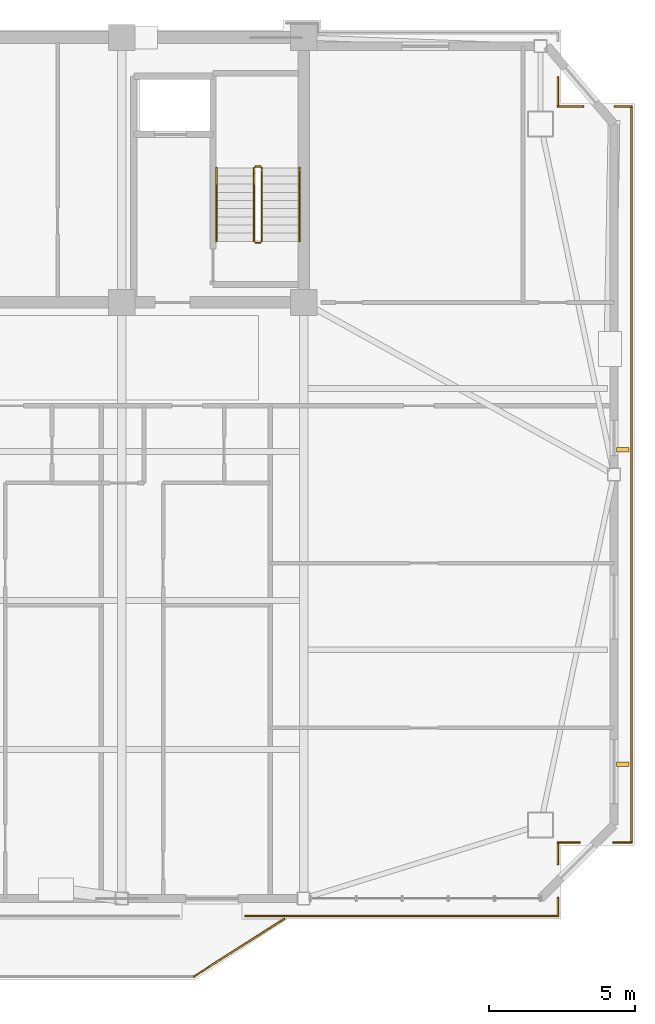
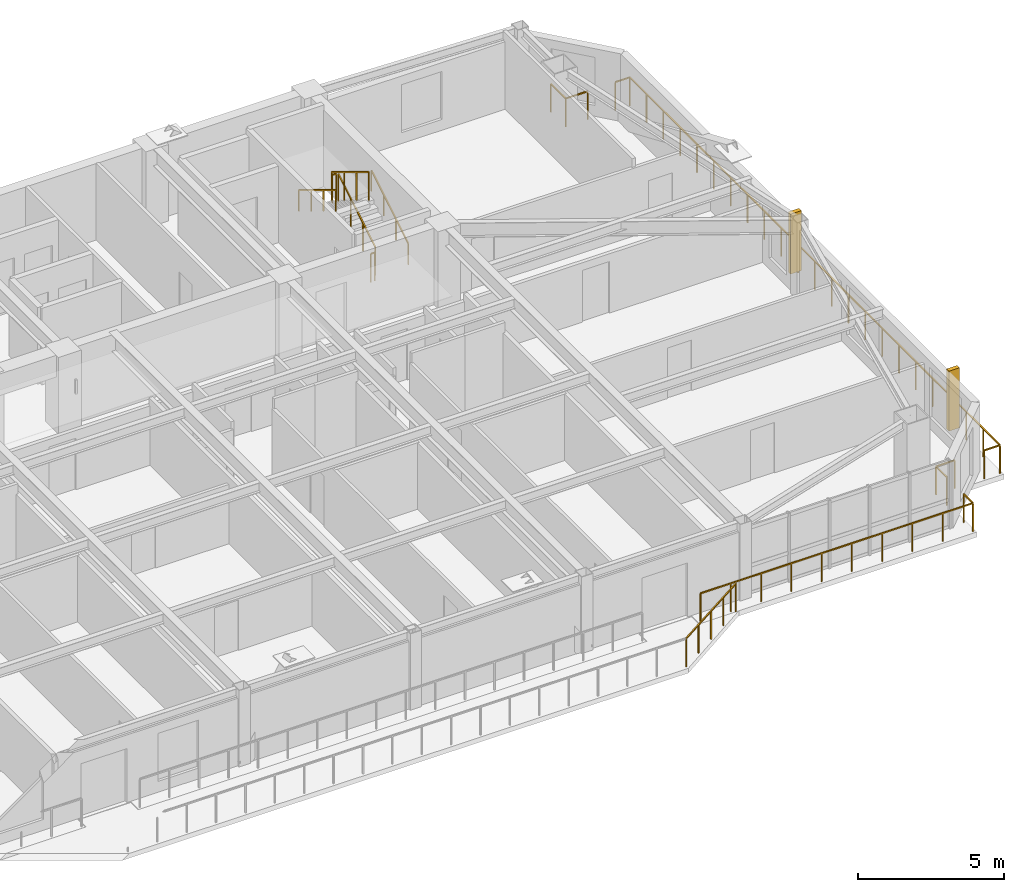
# One storey, part 15 of 17: 16 railings, 2 shading devices.
"""IFC4 building model written with IfcOpenShell, lengths in metres."""

from ifc_helpers import new_model, si_unit, direction, frame, origin, origin_2d, place, context, subcontext, project, spatial, rectangle, extrude, source, transform, mapped, material, type_object, element, save


model = new_model("IFC4")

# Units and contexts
model_context = context("Model", 3, precision=1e-05, world=origin(), true_north=direction((0.0, 1.0)))
body_context = subcontext(model_context, "Body", "Model", "MODEL_VIEW")
ifc_project = project(units=[si_unit("LENGTHUNIT", "METRE"), si_unit("AREAUNIT", "SQUARE_METRE"), si_unit("VOLUMEUNIT", "CUBIC_METRE"), si_unit("PLANEANGLEUNIT", "RADIAN"), si_unit("MASSUNIT", "GRAM", prefix="KILO")], contexts=[model_context])

# Site, building, storey
site_placement = place(None, origin())
site = spatial("IfcSite", under=ifc_project, at=site_placement, CompositionType="ELEMENT")
building_placement = place(site_placement, origin())
building = spatial("IfcBuilding", under=site, at=building_placement, Name="Giltprow Tower", CompositionType="ELEMENT")
storey_placement = place(building_placement, frame((0.0, 0.0, 268.89990234375)))
storey = spatial("IfcBuildingStorey", under=building, at=storey_placement, Name="L69", CompositionType="ELEMENT", Elevation=268.89990234375)

# Railings
ifc_material = material(Name="Anodized bronze", Category="metal")
railing_type_1 = type_object("IfcRailingType", Name="RAIL-BALC-GUARD-1200", PredefinedType="BALUSTRADE", material=ifc_material)
railing_1_placement = place(storey_placement, frame((46.780029296875, 14.2958984375, 0.0)))
element("IfcRailing", 1, at=railing_1_placement, inside=storey, type_object=railing_type_1, Name="L69 Waterfront Balcony Balustrade Seg 3", PredefinedType="BALUSTRADE", context=body_context, shape_type="SweptSolid", body=[
    extrude(rectangle(XDim=0.048095703125, YDim=0.048095703125, at=origin_2d()), frame((0.0, 0.0, 1.17578125), z_axis=(0.842755646126, 0.538296313309, 0.0), x_axis=(-0.538296313309, 0.842755646126, 0.0)), (0.0, 0.0, 1.0), 3.67822265625),
    extrude(rectangle(XDim=0.0419921875, YDim=0.0419921875, at=origin_2d()), origin(), (0.0, 0.0, 1.0), 1.15185546875),
    extrude(rectangle(XDim=0.0419921875, YDim=0.0419921875, at=origin_2d()), frame((0.77490234375, 0.4951171875, 0.0)), (0.0, 0.0, 1.0), 1.15185546875),
    extrude(rectangle(XDim=0.0419921875, YDim=0.0419921875, at=origin_2d()), frame((1.5498046875, 0.989990234375, 0.0)), (0.0, 0.0, 1.0), 1.15185546875),
    extrude(rectangle(XDim=0.0419921875, YDim=0.0419921875, at=origin_2d()), frame((2.324951171875, 1.48486328125, 0.0)), (0.0, 0.0, 1.0), 1.15185546875),
    extrude(rectangle(XDim=0.0419921875, YDim=0.0419921875, at=origin_2d()), frame((3.099853515625, 1.97998046875, 0.0)), (0.0, 0.0, 1.0), 1.15185546875),
])
railing_2_placement = place(storey_placement, frame((61.806884765625, 44.176025390625, 0.0)))
element("IfcRailing", 2, at=railing_2_placement, inside=storey, type_object=railing_type_1, Name="L69 Corner Apron Edge Balustrade 1", PredefinedType="BALUSTRADE", context=body_context, shape_type="SweptSolid", body=[
    extrude(rectangle(XDim=0.048095703125, YDim=0.048095703125, at=origin_2d()), frame((0.0, 0.0, 1.17578125), z_axis=(0.0, -1.0, 0.0), x_axis=(1.0, 0.0, 0.0)), (0.0, 0.0, 1.0), 25.277099609375),
    extrude(rectangle(XDim=0.0419921875, YDim=0.0419921875, at=origin_2d()), origin(), (0.0, 0.0, 1.0), 1.15185546875),
    extrude(rectangle(XDim=0.0419921875, YDim=0.0419921875, at=origin_2d()), frame((0.0, -1.14892578125, 0.0)), (0.0, 0.0, 1.0), 1.15185546875),
    extrude(rectangle(XDim=0.0419921875, YDim=0.0419921875, at=origin_2d()), frame((0.0, -2.2978515625, 0.0)), (0.0, 0.0, 1.0), 1.15185546875),
    extrude(rectangle(XDim=0.0419921875, YDim=0.0419921875, at=origin_2d()), frame((0.0, -3.44677734375, 0.0)), (0.0, 0.0, 1.0), 1.15185546875),
    extrude(rectangle(XDim=0.0419921875, YDim=0.0419921875, at=origin_2d()), frame((0.0, -4.595947265625, 0.0)), (0.0, 0.0, 1.0), 1.15185546875),
    extrude(rectangle(XDim=0.0419921875, YDim=0.0419921875, at=origin_2d()), frame((0.0, -5.744873046875, 0.0)), (0.0, 0.0, 1.0), 1.15185546875),
    extrude(rectangle(XDim=0.0419921875, YDim=0.0419921875, at=origin_2d()), frame((0.0, -6.893798828125, 0.0)), (0.0, 0.0, 1.0), 1.15185546875),
    extrude(rectangle(XDim=0.0419921875, YDim=0.0419921875, at=origin_2d()), frame((0.0, -8.042724609375, 0.0)), (0.0, 0.0, 1.0), 1.15185546875),
    extrude(rectangle(XDim=0.0419921875, YDim=0.0419921875, at=origin_2d()), frame((0.0, -9.191650390625, 0.0)), (0.0, 0.0, 1.0), 1.15185546875),
    extrude(rectangle(XDim=0.0419921875, YDim=0.0419921875, at=origin_2d()), frame((0.0, -10.340576171875, 0.0)), (0.0, 0.0, 1.0), 1.15185546875),
    extrude(rectangle(XDim=0.0419921875, YDim=0.0419921875, at=origin_2d()), frame((0.0, -11.489501953125, 0.0)), (0.0, 0.0, 1.0), 1.15185546875),
    extrude(rectangle(XDim=0.0419921875, YDim=0.0419921875, at=origin_2d()), frame((0.0, -12.638671875, 0.0)), (0.0, 0.0, 1.0), 1.15185546875),
    extrude(rectangle(XDim=0.0419921875, YDim=0.0419921875, at=origin_2d()), frame((0.0, -13.78759765625, 0.0)), (0.0, 0.0, 1.0), 1.15185546875),
    extrude(rectangle(XDim=0.0419921875, YDim=0.0419921875, at=origin_2d()), frame((0.0, -14.9365234375, 0.0)), (0.0, 0.0, 1.0), 1.15185546875),
    extrude(rectangle(XDim=0.0419921875, YDim=0.0419921875, at=origin_2d()), frame((0.0, -16.08544921875, 0.0)), (0.0, 0.0, 1.0), 1.15185546875),
    extrude(rectangle(XDim=0.0419921875, YDim=0.0419921875, at=origin_2d()), frame((0.0, -17.234375, 0.0)), (0.0, 0.0, 1.0), 1.15185546875),
    extrude(rectangle(XDim=0.0419921875, YDim=0.0419921875, at=origin_2d()), frame((0.0, -18.38330078125, 0.0)), (0.0, 0.0, 1.0), 1.15185546875),
    extrude(rectangle(XDim=0.0419921875, YDim=0.0419921875, at=origin_2d()), frame((0.0, -19.5322265625, 0.0)), (0.0, 0.0, 1.0), 1.15185546875),
    extrude(rectangle(XDim=0.0419921875, YDim=0.0419921875, at=origin_2d()), frame((0.0, -20.68115234375, 0.0)), (0.0, 0.0, 1.0), 1.15185546875),
    extrude(rectangle(XDim=0.0419921875, YDim=0.0419921875, at=origin_2d()), frame((0.0, -21.830322265625, 0.0)), (0.0, 0.0, 1.0), 1.15185546875),
    extrude(rectangle(XDim=0.0419921875, YDim=0.0419921875, at=origin_2d()), frame((0.0, -22.979248046875, 0.0)), (0.0, 0.0, 1.0), 1.15185546875),
    extrude(rectangle(XDim=0.0419921875, YDim=0.0419921875, at=origin_2d()), frame((0.0, -24.128173828125, 0.0)), (0.0, 0.0, 1.0), 1.15185546875),
    extrude(rectangle(XDim=0.0419921875, YDim=0.0419921875, at=origin_2d()), frame((0.0, -25.277099609375, 0.0)), (0.0, 0.0, 1.0), 1.15185546875),
])
railing_3_placement = place(storey_placement, frame((61.806884765625, 18.89892578125, 0.0)))
element("IfcRailing", 3, at=railing_3_placement, inside=storey, type_object=railing_type_1, Name="L69 Corner Apron Edge Balustrade 2", PredefinedType="BALUSTRADE", context=body_context, shape_type="SweptSolid", body=[
    extrude(rectangle(XDim=0.048095703125, YDim=0.048095703125, at=origin_2d()), frame((0.0, 0.0, 1.17578125), z_axis=(-1.0, 0.0, 0.0), x_axis=(0.0, -1.0, 0.0)), (0.0, 0.0, 1.0), 0.619873046875),
    extrude(rectangle(XDim=0.0419921875, YDim=0.0419921875, at=origin_2d()), origin(), (0.0, 0.0, 1.0), 1.15185546875),
    extrude(rectangle(XDim=0.0419921875, YDim=0.0419921875, at=origin_2d()), frame((-0.619873046875, 0.0, 0.0)), (0.0, 0.0, 1.0), 1.15185546875),
])
railing_4_placement = place(storey_placement, frame((60.027099609375, 18.89892578125, 0.0)))
element("IfcRailing", 4, at=railing_4_placement, inside=storey, type_object=railing_type_1, Name="L69 Corner Apron Edge Balustrade 3", PredefinedType="BALUSTRADE", context=body_context, shape_type="SweptSolid", body=[
    extrude(rectangle(XDim=0.048095703125, YDim=0.048095703125, at=origin_2d()), frame((0.0, 0.0, 1.17578125), z_axis=(-1.0, 0.0, 0.0), x_axis=(0.0, -1.0, 0.0)), (0.0, 0.0, 1.0), 0.744140625),
    extrude(rectangle(XDim=0.0419921875, YDim=0.0419921875, at=origin_2d()), origin(), (0.0, 0.0, 1.0), 1.15185546875),
    extrude(rectangle(XDim=0.0419921875, YDim=0.0419921875, at=origin_2d()), frame((-0.744140625, 0.0, 0.0)), (0.0, 0.0, 1.0), 1.15185546875),
])
railing_5_placement = place(storey_placement, frame((59.282958984375, 18.89892578125, 0.0)))
element("IfcRailing", 5, at=railing_5_placement, inside=storey, type_object=railing_type_1, Name="L69 Corner Apron Edge Balustrade 4", PredefinedType="BALUSTRADE", context=body_context, shape_type="SweptSolid", body=[
    extrude(rectangle(XDim=0.048095703125, YDim=0.048095703125, at=origin_2d()), frame((0.0, 0.0, 1.17578125), z_axis=(0.0, -1.0, 0.0), x_axis=(1.0, 0.0, 0.0)), (0.0, 0.0, 1.0), 0.743896484375),
    extrude(rectangle(XDim=0.0419921875, YDim=0.0419921875, at=origin_2d()), origin(), (0.0, 0.0, 1.0), 1.15185546875),
    extrude(rectangle(XDim=0.0419921875, YDim=0.0419921875, at=origin_2d()), frame((0.0, -0.743896484375, 0.0)), (0.0, 0.0, 1.0), 1.15185546875),
])
railing_6_placement = place(storey_placement, frame((59.282958984375, 16.9951171875, 0.0)))
element("IfcRailing", 6, at=railing_6_placement, inside=storey, type_object=railing_type_1, Name="L69 Corner Apron Edge Balustrade 5", PredefinedType="BALUSTRADE", context=body_context, shape_type="SweptSolid", body=[
    extrude(rectangle(XDim=0.048095703125, YDim=0.048095703125, at=origin_2d()), frame((0.0, 0.0, 1.17578125), z_axis=(0.0, -1.0, 0.0), x_axis=(1.0, 0.0, 0.0)), (0.0, 0.0, 1.0), 0.619140625),
    extrude(rectangle(XDim=0.0419921875, YDim=0.0419921875, at=origin_2d()), origin(), (0.0, 0.0, 1.0), 1.15185546875),
    extrude(rectangle(XDim=0.0419921875, YDim=0.0419921875, at=origin_2d()), frame((0.0, -0.619140625, 0.0)), (0.0, 0.0, 1.0), 1.15185546875),
])
railing_7_placement = place(storey_placement, frame((59.282958984375, 16.3759765625, 0.0)))
element("IfcRailing", 7, at=railing_7_placement, inside=storey, type_object=railing_type_1, Name="L69 Corner Apron Edge Balustrade 6", PredefinedType="BALUSTRADE", context=body_context, shape_type="SweptSolid", body=[
    extrude(rectangle(XDim=0.048095703125, YDim=0.048095703125, at=origin_2d()), frame((0.0, 0.0, 1.17578125), z_axis=(-1.0, 0.0, 0.0), x_axis=(0.0, -1.0, 0.0)), (0.0, 0.0, 1.0), 10.73291015625),
    extrude(rectangle(XDim=0.0419921875, YDim=0.0419921875, at=origin_2d()), origin(), (0.0, 0.0, 1.0), 1.15185546875),
    extrude(rectangle(XDim=0.0419921875, YDim=0.0419921875, at=origin_2d()), frame((-1.192626953125, 0.0, 0.0)), (0.0, 0.0, 1.0), 1.15185546875),
    extrude(rectangle(XDim=0.0419921875, YDim=0.0419921875, at=origin_2d()), frame((-2.385009765625, 0.0, 0.0)), (0.0, 0.0, 1.0), 1.15185546875),
    extrude(rectangle(XDim=0.0419921875, YDim=0.0419921875, at=origin_2d()), frame((-3.57763671875, 0.0, 0.0)), (0.0, 0.0, 1.0), 1.15185546875),
    extrude(rectangle(XDim=0.0419921875, YDim=0.0419921875, at=origin_2d()), frame((-4.770263671875, 0.0, 0.0)), (0.0, 0.0, 1.0), 1.15185546875),
    extrude(rectangle(XDim=0.0419921875, YDim=0.0419921875, at=origin_2d()), frame((-5.962646484375, 0.0, 0.0)), (0.0, 0.0, 1.0), 1.15185546875),
    extrude(rectangle(XDim=0.0419921875, YDim=0.0419921875, at=origin_2d()), frame((-7.1552734375, 0.0, 0.0)), (0.0, 0.0, 1.0), 1.15185546875),
    extrude(rectangle(XDim=0.0419921875, YDim=0.0419921875, at=origin_2d()), frame((-8.347900390625, 0.0, 0.0)), (0.0, 0.0, 1.0), 1.15185546875),
    extrude(rectangle(XDim=0.0419921875, YDim=0.0419921875, at=origin_2d()), frame((-9.540283203125, 0.0, 0.0)), (0.0, 0.0, 1.0), 1.15185546875),
    extrude(rectangle(XDim=0.0419921875, YDim=0.0419921875, at=origin_2d()), frame((-10.73291015625, 0.0, 0.0)), (0.0, 0.0, 1.0), 1.15185546875),
])
railing_8_placement = place(storey_placement, frame((59.282958984375, 45.18603515625, 0.0)))
element("IfcRailing", 8, at=railing_8_placement, inside=storey, type_object=railing_type_1, Name="L69 Corner Apron Edge Balustrade 27", PredefinedType="BALUSTRADE", context=body_context, shape_type="SweptSolid", body=[
    extrude(rectangle(XDim=0.048095703125, YDim=0.048095703125, at=origin_2d()), frame((0.0, 0.0, 1.17578125), z_axis=(0.0, -1.0, 0.0), x_axis=(1.0, 0.0, 0.0)), (0.0, 0.0, 1.0), 1.010009765625),
    extrude(rectangle(XDim=0.0419921875, YDim=0.0419921875, at=origin_2d()), origin(), (0.0, 0.0, 1.0), 1.15185546875),
    extrude(rectangle(XDim=0.0419921875, YDim=0.0419921875, at=origin_2d()), frame((0.0, -1.010009765625, 0.0)), (0.0, 0.0, 1.0), 1.15185546875),
])
railing_9_placement = place(storey_placement, frame((59.282958984375, 44.176025390625, 0.0)))
element("IfcRailing", 9, at=railing_9_placement, inside=storey, type_object=railing_type_1, Name="L69 Corner Apron Edge Balustrade 28", PredefinedType="BALUSTRADE", context=body_context, shape_type="SweptSolid", body=[
    extrude(rectangle(XDim=0.048095703125, YDim=0.048095703125, at=origin_2d()), frame((0.0, 0.0, 1.17578125), z_axis=(1.0, 0.0, 0.0), x_axis=(0.0, 1.0, 0.0)), (0.0, 0.0, 1.0), 0.867919921875),
    extrude(rectangle(XDim=0.0419921875, YDim=0.0419921875, at=origin_2d()), origin(), (0.0, 0.0, 1.0), 1.15185546875),
    extrude(rectangle(XDim=0.0419921875, YDim=0.0419921875, at=origin_2d()), frame((0.867919921875, 0.0, 0.0)), (0.0, 0.0, 1.0), 1.15185546875),
])
railing_10_placement = place(storey_placement, frame((61.23291015625, 44.176025390625, 0.0)))
element("IfcRailing", 10, at=railing_10_placement, inside=storey, type_object=railing_type_1, Name="L69 Corner Apron Edge Balustrade 29", PredefinedType="BALUSTRADE", context=body_context, shape_type="SweptSolid", body=[
    extrude(rectangle(XDim=0.048095703125, YDim=0.048095703125, at=origin_2d()), frame((0.0, 0.0, 1.17578125), z_axis=(1.0, 0.0, 0.0), x_axis=(0.0, 1.0, 0.0)), (0.0, 0.0, 1.0), 0.573974609375),
    extrude(rectangle(XDim=0.0419921875, YDim=0.0419921875, at=origin_2d()), origin(), (0.0, 0.0, 1.0), 1.15185546875),
    extrude(rectangle(XDim=0.0419921875, YDim=0.0419921875, at=origin_2d()), frame((0.573974609375, 0.0, 0.0)), (0.0, 0.0, 1.0), 1.15185546875),
])
railing_type_2 = type_object("IfcRailingType", Name="RAIL-STAIR-GUARD-1200", PredefinedType="GUARDRAIL", material=ifc_material)
railing_11_placement = place(storey_placement, frame((49.110107421875, 39.550048828125, 0.170166015625)))
element("IfcRailing", 11, at=railing_11_placement, inside=storey, type_object=railing_type_2, Name="L69 ST-3 stair guard 1", PredefinedType="GUARDRAIL", context=body_context, shape_type="SweptSolid", body=[
    extrude(rectangle(XDim=0.048095703125, YDim=0.048095703125, at=origin_2d()), frame((0.0, 0.0, 1.17578125), z_axis=(0.0, 0.85478489116, 0.518982456201), x_axis=(-1.0, 0.0, 0.0)), (0.0, 0.0, 1.0), 2.9482421875),
    extrude(rectangle(XDim=0.0419921875, YDim=0.0419921875, at=origin_2d()), origin(), (0.0, 0.0, 1.0), 1.15185546875),
    extrude(rectangle(XDim=0.0419921875, YDim=0.0419921875, at=origin_2d()), frame((0.0, 0.840087890625, 0.510009765625)), (0.0, 0.0, 1.0), 1.15185546875),
    extrude(rectangle(XDim=0.0419921875, YDim=0.0419921875, at=origin_2d()), frame((0.0, 1.679931640625, 1.02001953125)), (0.0, 0.0, 1.0), 1.15185546875),
    extrude(rectangle(XDim=0.0419921875, YDim=0.0419921875, at=origin_2d()), frame((0.0, 2.52001953125, 1.530029296875)), (0.0, 0.0, 1.0), 1.15185546875),
])
railing_12_placement = place(storey_placement, frame((49.06005859375, 42.1201171875, 1.7001953125)))
element("IfcRailing", 12, at=railing_12_placement, inside=storey, type_object=railing_type_2, Name="L69 ST-3 stair guard 2", PredefinedType="GUARDRAIL", context=body_context, shape_type="SweptSolid", body=[
    extrude(rectangle(XDim=0.048095703125, YDim=0.048095703125, at=origin_2d()), frame((0.0, 0.0, 1.17578125), z_axis=(-1.0, 0.0, 0.0), x_axis=(0.0, -1.0, 0.0)), (0.0, 0.0, 1.0), 0.16015625),
    extrude(rectangle(XDim=0.0419921875, YDim=0.0419921875, at=origin_2d()), origin(), (0.0, 0.0, 1.0), 1.15185546875),
    extrude(rectangle(XDim=0.0419921875, YDim=0.0419921875, at=origin_2d()), frame((-0.16015625, 0.0, 0.0)), (0.0, 0.0, 1.0), 1.15185546875),
])
railing_13_placement = place(storey_placement, frame((48.85009765625, 42.070068359375, 1.8701171875)))
element("IfcRailing", 13, at=railing_13_placement, inside=storey, type_object=railing_type_2, Name="L69 ST-3 stair guard 3", PredefinedType="GUARDRAIL", context=body_context, shape_type="SweptSolid", body=[
    extrude(rectangle(XDim=0.048095703125, YDim=0.048095703125, at=origin_2d()), frame((0.0, 0.0, 1.17578125), z_axis=(0.0, -0.85478489116, 0.518982456201), x_axis=(1.0, 0.0, 0.0)), (0.0, 0.0, 1.0), 2.9482421875),
    extrude(rectangle(XDim=0.0419921875, YDim=0.0419921875, at=origin_2d()), origin(), (0.0, 0.0, 1.0), 1.15185546875),
    extrude(rectangle(XDim=0.0419921875, YDim=0.0419921875, at=origin_2d()), frame((0.0, -0.840087890625, 0.510009765625)), (0.0, 0.0, 1.0), 1.15185546875),
    extrude(rectangle(XDim=0.0419921875, YDim=0.0419921875, at=origin_2d()), frame((0.0, -1.679931640625, 1.02001953125)), (0.0, 0.0, 1.0), 1.15185546875),
    extrude(rectangle(XDim=0.0419921875, YDim=0.0419921875, at=origin_2d()), frame((0.0, -2.52001953125, 1.530029296875)), (0.0, 0.0, 1.0), 1.15185546875),
])
railing_14_placement = place(storey_placement, frame((49.06005859375, 39.5, 0.0)))
element("IfcRailing", 14, at=railing_14_placement, inside=storey, type_object=railing_type_2, Name="L69 ST-3 stair guard 4", PredefinedType="GUARDRAIL", context=body_context, shape_type="SweptSolid", body=[
    extrude(rectangle(XDim=0.048095703125, YDim=0.048095703125, at=origin_2d()), frame((0.0, 0.0, 1.17578125), z_axis=(-1.0, 0.0, 0.0), x_axis=(0.0, -1.0, 0.0)), (0.0, 0.0, 1.0), 0.16015625),
    extrude(rectangle(XDim=0.0419921875, YDim=0.0419921875, at=origin_2d()), origin(), (0.0, 0.0, 1.0), 1.15185546875),
    extrude(rectangle(XDim=0.0419921875, YDim=0.0419921875, at=origin_2d()), frame((-0.16015625, 0.0, 0.0)), (0.0, 0.0, 1.0), 1.15185546875),
])
railing_type_3 = type_object("IfcRailingType", Name="RAIL-STAIR-HAND-900", PredefinedType="HANDRAIL", material=ifc_material)
railing_15_placement = place(storey_placement, frame((50.409912109375, 39.550048828125, 0.170166015625)))
element("IfcRailing", 15, at=railing_15_placement, inside=storey, type_object=railing_type_3, Name="L69 ST-3 stair handrail 1", PredefinedType="HANDRAIL", context=body_context, shape_type="SweptSolid", body=[
    extrude(rectangle(XDim=0.048095703125, YDim=0.048095703125, at=origin_2d()), frame((0.0, 0.0, 0.8759765625), z_axis=(0.0, 0.85478489116, 0.518982456201), x_axis=(-1.0, 0.0, 0.0)), (0.0, 0.0, 1.0), 2.9482421875),
    extrude(rectangle(XDim=0.0419921875, YDim=0.0419921875, at=origin_2d()), origin(), (0.0, 0.0, 1.0), 0.851806640625),
    extrude(rectangle(XDim=0.0419921875, YDim=0.0419921875, at=origin_2d()), frame((0.0, 0.840087890625, 0.510009765625)), (0.0, 0.0, 1.0), 0.851806640625),
    extrude(rectangle(XDim=0.0419921875, YDim=0.0419921875, at=origin_2d()), frame((0.0, 1.679931640625, 1.02001953125)), (0.0, 0.0, 1.0), 0.851806640625),
    extrude(rectangle(XDim=0.0419921875, YDim=0.0419921875, at=origin_2d()), frame((0.0, 2.52001953125, 1.530029296875)), (0.0, 0.0, 1.0), 0.851806640625),
])
railing_16_placement = place(storey_placement, frame((47.550048828125, 42.070068359375, 1.8701171875)))
element("IfcRailing", 16, at=railing_16_placement, inside=storey, type_object=railing_type_3, Name="L69 ST-3 stair handrail 2", PredefinedType="HANDRAIL", context=body_context, shape_type="SweptSolid", body=[
    extrude(rectangle(XDim=0.048095703125, YDim=0.048095703125, at=origin_2d()), frame((0.0, 0.0, 0.8759765625), z_axis=(0.0, -0.85478489116, 0.518982456201), x_axis=(1.0, 0.0, 0.0)), (0.0, 0.0, 1.0), 2.9482421875),
    extrude(rectangle(XDim=0.0419921875, YDim=0.0419921875, at=origin_2d()), origin(), (0.0, 0.0, 1.0), 0.851806640625),
    extrude(rectangle(XDim=0.0419921875, YDim=0.0419921875, at=origin_2d()), frame((0.0, -0.840087890625, 0.510009765625)), (0.0, 0.0, 1.0), 0.851806640625),
    extrude(rectangle(XDim=0.0419921875, YDim=0.0419921875, at=origin_2d()), frame((0.0, -1.679931640625, 1.02001953125)), (0.0, 0.0, 1.0), 0.851806640625),
    extrude(rectangle(XDim=0.0419921875, YDim=0.0419921875, at=origin_2d()), frame((0.0, -2.52001953125, 1.530029296875)), (0.0, 0.0, 1.0), 0.851806640625),
])

# Shading devices
shading_device_type = type_object("IfcShadingDeviceType", Name="SHD-FIN-420", PredefinedType="USERDEFINED", material=ifc_material)
shared_shape = source(origin(), body_context, "Body", "SweptSolid", [
    extrude(rectangle(XDim=0.419921875, YDim=0.159912109375, at=origin_2d()), origin(), (0.0, 0.0, 1.0), 2.5),
])
for number, where, z_axis, x_axis, name in (
    (17, (61.507080078125, 21.591064453125, 0.35009765625), (0.0, 0.0, 1.0), (1.0, 0.0, 0.0), "L69 E Bronze Vertical Fin 1-1"),
    (18, (61.507080078125, 32.385009765625, 0.35009765625), (0.0, 0.0, 1.0), (1.0, 0.0, 0.0), "L69 E Bronze Vertical Fin 2-1"),
):
    element("IfcShadingDevice", number, at=place(storey_placement, frame(where, z_axis=z_axis, x_axis=x_axis)), inside=storey, type_object=shading_device_type, Name=name, ObjectType="FIN", PredefinedType="USERDEFINED", context=body_context, shape_type="MappedRepresentation", body=[
        mapped(shared_shape, transform((0.0, 0.0, 0.0), x_axis=(1.0, 0.0, 0.0), y_axis=(0.0, 1.0, 0.0), z_axis=(0.0, 0.0, 1.0), scale=1.0)),
    ])

save(model, "model.ifc")
